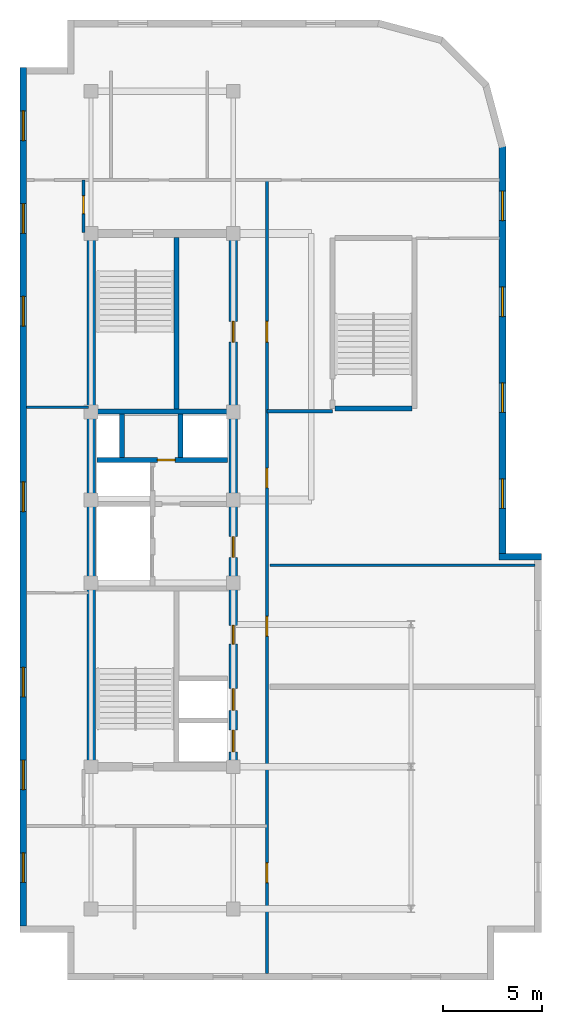
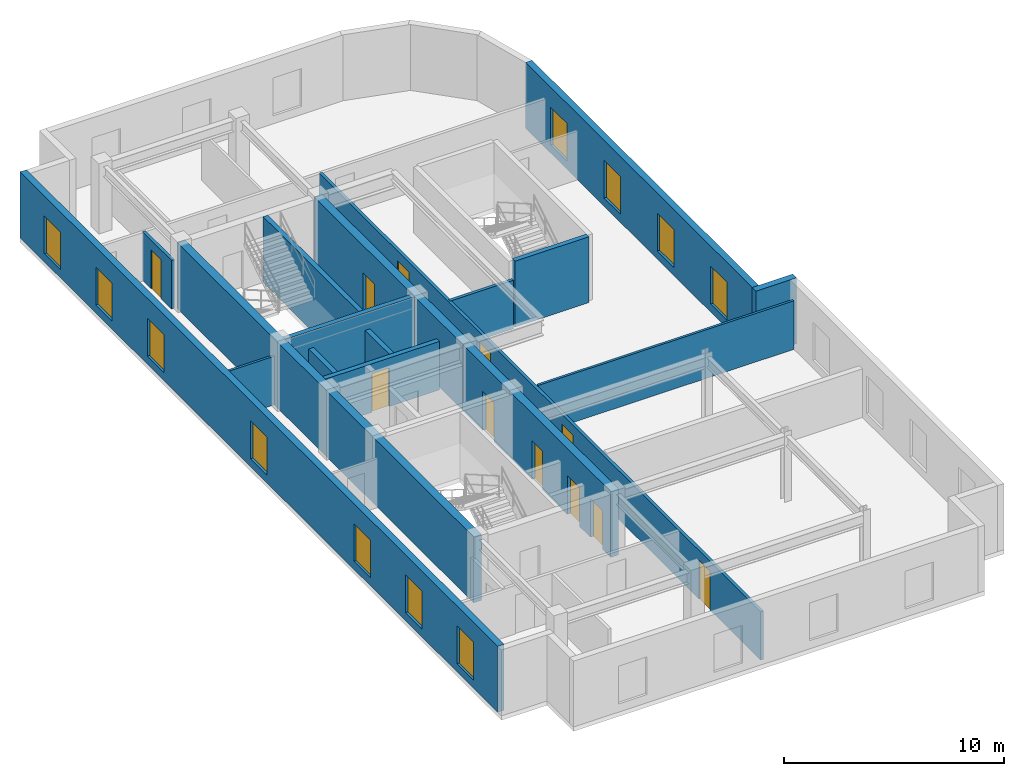
# One storey, part 3 of 5: 17 walls, 11 doors, 11 windows, 22 openings.
"""IFC4 building model written with IfcOpenShell, lengths in metres."""

from ifc_helpers import new_model, entity, si_unit, converted_unit, direction, frame, origin_with_axes, origin_2d_with_axis, place, context, subcontext, project, spatial, polyline, rectangle, outline, extrude, material, layer, layer_set, type_object, element, fill, save


model = new_model("IFC4")

# Units and contexts
model_context = context("Model", 3, precision=1e-05, world=origin_with_axes(), true_north=direction((0.0, 1.0)))
body_context = subcontext(model_context, "Body", "Model", "MODEL_VIEW")
ifc_project = project(units=[si_unit("LENGTHUNIT", "METRE"), si_unit("AREAUNIT", "SQUARE_METRE"), si_unit("VOLUMEUNIT", "CUBIC_METRE"), converted_unit("PLANEANGLEUNIT", "DEGREE", entity("IfcPlaneAngleMeasure", 0.017453292519943295), si_unit("PLANEANGLEUNIT", "RADIAN"), dimensions=[0, 0, 0, 0, 0, 0, 0]), si_unit("MASSUNIT", "GRAM", prefix="KILO"), si_unit("THERMODYNAMICTEMPERATUREUNIT", "KELVIN")], contexts=[model_context])

# Site, building, storey
site_placement = place(None, origin_with_axes())
site = spatial("IfcSite", under=ifc_project, at=site_placement, CompositionType="ELEMENT")
building_placement = place(site_placement, origin_with_axes())
building = spatial("IfcBuilding", under=site, at=building_placement, Name="Varnlund Millrace Tower", CompositionType="ELEMENT")
storey_placement = place(building_placement, frame((0.0, 0.0, 291.9), z_axis=(0.0, 0.0, 1.0), x_axis=(1.0, 0.0, 0.0)))
storey = spatial("IfcBuildingStorey", under=building, at=storey_placement, Name="L72", CompositionType="ELEMENT", Elevation=291.9)

# Wall
ifc_material_1 = material(Name="Concrete C60/75", Category="concrete")
ifc_layer_1 = layer(ifc_material_1, 0.42, Name="Concrete C60/75")
ifc_layer_set_1 = layer_set([ifc_layer_1], Name="Concrete C60/75")
wall_type_1 = type_object("IfcWallType", Name="Type-CoreWall-Shear-420-C60", PredefinedType="SHEAR", material=ifc_layer_set_1)
wall_1_placement = place(storey_placement, frame((11.4, 10.8, 0.0), z_axis=(0.0, 0.0, 1.0), x_axis=(0.0, 1.0, 0.0)))
element("IfcWall", 1, at=wall_1_placement, inside=storey, type_object=wall_type_1, Name="Type-CoreWall-Shear-420-C60", PredefinedType="SHEAR", context=body_context, shape_type="SweptSolid", body=[
    extrude(outline(polyline([(0.0, -0.21), (27.0, -0.21), (27.0, 0.21), (0.0, 0.21), (0.0, -0.21)])), origin_with_axes(), (0.0, 0.0, 1.0), 3.66),
])

# Wall, openings, doors
wall_2_placement = place(storey_placement, frame((18.6, 10.8, 0.0), z_axis=(0.0, 0.0, 1.0), x_axis=(0.0, 1.0, 0.0)))
wall_2 = element("IfcWall", 2, at=wall_2_placement, inside=storey, type_object=wall_type_1, Name="Type-CoreWall-Shear-420-C60", PredefinedType="SHEAR", context=body_context, shape_type="SweptSolid", body=[
    extrude(outline(polyline([(0.0, -0.21), (13.5, -0.21), (13.5, 0.21), (0.0, 0.21), (0.0, -0.21)])), origin_with_axes(), (0.0, 0.0, 1.0), 3.66),
])
opening_1_placement = place(wall_2_placement, frame((1.3, 0.0, 0.0), z_axis=(0.0, 0.0, 1.0), x_axis=(1.0, 0.0, 0.0)))
opening_1 = element("IfcOpeningElement", 3, at=opening_1_placement, cuts=wall_2, Name="Opening L72:LD-ELV-H1", PredefinedType="OPENING", context=body_context, shape_type="SweptSolid", body=[
    extrude(rectangle(XDim=1.1, YDim=0.44, at=origin_2d_with_axis()), origin_with_axes(), (0.0, 0.0, 1.0), 2.15),
])
opening_2_placement = place(wall_2_placement, frame((3.4, 0.0, 0.0), z_axis=(0.0, 0.0, 1.0), x_axis=(1.0, 0.0, 0.0)))
opening_2 = element("IfcOpeningElement", 4, at=opening_2_placement, cuts=wall_2, Name="Opening L72:LD-ELV-H2", PredefinedType="OPENING", context=body_context, shape_type="SweptSolid", body=[
    extrude(rectangle(XDim=1.1, YDim=0.44, at=origin_2d_with_axis()), origin_with_axes(), (0.0, 0.0, 1.0), 2.15),
])
opening_3_placement = place(wall_2_placement, frame((11.125, 0.0, 0.0), z_axis=(0.0, 0.0, 1.0), x_axis=(1.0, 0.0, 0.0)))
opening_3 = element("IfcOpeningElement", 5, at=opening_3_placement, cuts=wall_2, Name="Opening L72:DR-FFLOB-A", PredefinedType="OPENING", context=body_context, shape_type="SweptSolid", body=[
    extrude(rectangle(XDim=1.05, YDim=0.44, at=origin_2d_with_axis()), origin_with_axes(), (0.0, 0.0, 1.0), 2.15),
])
opening_4_placement = place(wall_2_placement, frame((6.675, 0.0, 0.0), z_axis=(0.0, 0.0, 1.0), x_axis=(1.0, 0.0, 0.0)))
opening_4 = element("IfcOpeningElement", 6, at=opening_4_placement, cuts=wall_2, Name="Opening L72:DR-RECL-S1AB", PredefinedType="OPENING", context=body_context, shape_type="SweptSolid", body=[
    extrude(rectangle(XDim=0.95, YDim=0.44, at=origin_2d_with_axis()), origin_with_axes(), (0.0, 0.0, 1.0), 2.15),
])
ifc_material_2 = material(Name="Smoke-barrier hollow steel fire door", Category="steel")
door_type_1 = type_object("IfcDoorType", Name="Type-FireDoor-Lobby-1050X2150", OperationType="NOTDEFINED", PredefinedType="DOOR", material=ifc_material_2)
door_1_placement = place(wall_2_placement, frame((11.125, 0.0, 0.0), z_axis=(0.0, 0.0, 1.0), x_axis=(1.0, 0.0, 0.0)))
door_1 = element("IfcDoor", 7, at=door_1_placement, inside=storey, type_object=door_type_1, Name="Type-FireDoor-Lobby-1050X2150", OperationType="SINGLE_SWING_LEFT", OverallHeight=2.15, OverallWidth=1.05, PredefinedType="DOOR", context=body_context, shape_type="SweptSolid", body=[
    extrude(rectangle(XDim=1.05, YDim=0.09, at=origin_2d_with_axis()), origin_with_axes(), (0.0, 0.0, 1.0), 2.15),
])
fill(opening_3, door_1)
ifc_material_3 = material(Name="Fire-rated hollow steel core service door", Category="steel")
door_type_2 = type_object("IfcDoorType", Name="Type-FireDoor-Service-950X2150", OperationType="NOTDEFINED", PredefinedType="DOOR", material=ifc_material_3)
door_2_placement = place(wall_2_placement, frame((6.675, 0.0, 0.0), z_axis=(0.0, 0.0, 1.0), x_axis=(1.0, 0.0, 0.0)))
door_2 = element("IfcDoor", 8, at=door_2_placement, inside=storey, type_object=door_type_2, Name="Type-FireDoor-Service-950X2150", OperationType="SINGLE_SWING_LEFT", OverallHeight=2.15, OverallWidth=0.95, PredefinedType="DOOR", context=body_context, shape_type="SweptSolid", body=[
    extrude(rectangle(XDim=0.95, YDim=0.09, at=origin_2d_with_axis()), origin_with_axes(), (0.0, 0.0, 1.0), 2.15),
])
fill(opening_4, door_2)
ifc_material_4 = material(Name="Stainless and architectural bronze sliding landing door")
door_type_3 = type_object("IfcDoorType", Name="Type-LiftLandingDoor-1100X2150", OperationType="NOTDEFINED", PredefinedType="DOOR", material=ifc_material_4)
door_3_placement = place(wall_2_placement, frame((1.3, 0.0, 0.0), z_axis=(0.0, 0.0, 1.0), x_axis=(1.0, 0.0, 0.0)))
door_3 = element("IfcDoor", 9, at=door_3_placement, inside=storey, type_object=door_type_3, Name="Type-LiftLandingDoor-1100X2150", OperationType="SLIDING_TO_LEFT", OverallHeight=2.15, OverallWidth=1.1, PredefinedType="DOOR", context=body_context, shape_type="SweptSolid", body=[
    extrude(rectangle(XDim=1.1, YDim=0.09, at=origin_2d_with_axis()), origin_with_axes(), (0.0, 0.0, 1.0), 2.15),
])
fill(opening_1, door_3)
door_4_placement = place(wall_2_placement, frame((3.4, 0.0, 0.0), z_axis=(0.0, 0.0, 1.0), x_axis=(1.0, 0.0, 0.0)))
door_4 = element("IfcDoor", 10, at=door_4_placement, inside=storey, type_object=door_type_3, Name="Type-LiftLandingDoor-1100X2150", OperationType="SLIDING_TO_RIGHT", OverallHeight=2.15, OverallWidth=1.1, PredefinedType="DOOR", context=body_context, shape_type="SweptSolid", body=[
    extrude(rectangle(XDim=1.1, YDim=0.09, at=origin_2d_with_axis()), origin_with_axes(), (0.0, 0.0, 1.0), 2.15),
])
fill(opening_2, door_4)

# Wall, opening, door
wall_3_placement = place(storey_placement, frame((18.6, 24.3, 0.0), z_axis=(0.0, 0.0, 1.0), x_axis=(0.0, 1.0, 0.0)))
wall_3 = element("IfcWall", 11, at=wall_3_placement, inside=storey, type_object=wall_type_1, Name="Type-CoreWall-Shear-420-C60", PredefinedType="SHEAR", context=body_context, shape_type="SweptSolid", body=[
    extrude(outline(polyline([(0.0, -0.21), (13.5, -0.21), (13.5, 0.21), (0.0, 0.21), (0.0, -0.21)])), origin_with_axes(), (0.0, 0.0, 1.0), 3.66),
])
opening_5_placement = place(wall_3_placement, frame((8.525, 0.0, 0.0), z_axis=(0.0, 0.0, 1.0), x_axis=(1.0, 0.0, 0.0)))
opening_5 = element("IfcOpeningElement", 12, at=opening_5_placement, cuts=wall_3, Name="Opening L72:DR-RECL-M", PredefinedType="OPENING", context=body_context, shape_type="SweptSolid", body=[
    extrude(rectangle(XDim=1.05, YDim=0.44, at=origin_2d_with_axis()), origin_with_axes(), (0.0, 0.0, 1.0), 2.15),
])
door_5_placement = place(wall_3_placement, frame((8.525, 0.0, 0.0), z_axis=(0.0, 0.0, 1.0), x_axis=(1.0, 0.0, 0.0)))
door_5 = element("IfcDoor", 13, at=door_5_placement, inside=storey, type_object=door_type_1, Name="Type-FireDoor-Lobby-1050X2150", OperationType="SINGLE_SWING_LEFT", OverallHeight=2.15, OverallWidth=1.05, PredefinedType="DOOR", context=body_context, shape_type="SweptSolid", body=[
    extrude(rectangle(XDim=1.05, YDim=0.09, at=origin_2d_with_axis()), origin_with_axes(), (0.0, 0.0, 1.0), 2.15),
])
fill(opening_5, door_5)

# Wall, openings, windows
ifc_material_5 = material(Name="Precast concrete C50/60", Category="concrete")
ifc_layer_2 = layer(ifc_material_5, 0.34, Name="Precast concrete C50/60")
ifc_layer_set_2 = layer_set([ifc_layer_2], Name="Precast concrete C50/60")
wall_type_2 = type_object("IfcWallType", Name="Type-ExtWall-Precast-Upper-340", PredefinedType="SOLIDWALL", material=ifc_layer_set_2)
wall_4_placement = place(storey_placement, frame((7.97, 2.74, 0.0), z_axis=(0.0, 0.0, 1.0), x_axis=(0.0, 1.0, 0.0)))
wall_4 = element("IfcWall", 14, at=wall_4_placement, inside=storey, type_object=wall_type_2, Name="Type-ExtWall-Precast-Upper-340", PredefinedType="SOLIDWALL", context=body_context, shape_type="SweptSolid", body=[
    extrude(outline(polyline([(0.0, -0.17), (43.46, -0.17), (43.46, 0.17), (0.0, 0.17), (0.0, -0.17)])), origin_with_axes(), (0.0, 0.0, 1.0), 3.66),
])
opening_6_placement = place(wall_4_placement, frame((2.948, 0.0, 0.45), z_axis=(0.0, 0.0, 1.0), x_axis=(1.0, 0.0, 0.0)))
opening_6 = element("IfcOpeningElement", 15, at=opening_6_placement, cuts=wall_4, Name="Opening L72:WN-05", PredefinedType="OPENING", context=body_context, shape_type="SweptSolid", body=[
    extrude(rectangle(XDim=1.5, YDim=0.36, at=origin_2d_with_axis()), origin_with_axes(), (0.0, 0.0, 1.0), 2.1),
])
opening_7_placement = place(wall_4_placement, frame((7.643, 0.0, 0.45), z_axis=(0.0, 0.0, 1.0), x_axis=(1.0, 0.0, 0.0)))
opening_7 = element("IfcOpeningElement", 16, at=opening_7_placement, cuts=wall_4, Name="Opening L72:WN-06", PredefinedType="OPENING", context=body_context, shape_type="SweptSolid", body=[
    extrude(rectangle(XDim=1.5, YDim=0.36, at=origin_2d_with_axis()), origin_with_axes(), (0.0, 0.0, 1.0), 2.1),
])
opening_8_placement = place(wall_4_placement, frame((12.339, 0.0, 0.45), z_axis=(0.0, 0.0, 1.0), x_axis=(1.0, 0.0, 0.0)))
opening_8 = element("IfcOpeningElement", 17, at=opening_8_placement, cuts=wall_4, Name="Opening L72:WN-07", PredefinedType="OPENING", context=body_context, shape_type="SweptSolid", body=[
    extrude(rectangle(XDim=1.5, YDim=0.36, at=origin_2d_with_axis()), origin_with_axes(), (0.0, 0.0, 1.0), 2.1),
])
opening_9_placement = place(wall_4_placement, frame((21.73, 0.0, 0.45), z_axis=(0.0, 0.0, 1.0), x_axis=(1.0, 0.0, 0.0)))
opening_9 = element("IfcOpeningElement", 18, at=opening_9_placement, cuts=wall_4, Name="Opening L72:WN-08", PredefinedType="OPENING", context=body_context, shape_type="SweptSolid", body=[
    extrude(rectangle(XDim=1.5, YDim=0.36, at=origin_2d_with_axis()), origin_with_axes(), (0.0, 0.0, 1.0), 2.1),
])
opening_10_placement = place(wall_4_placement, frame((31.121, 0.0, 0.45), z_axis=(0.0, 0.0, 1.0), x_axis=(1.0, 0.0, 0.0)))
opening_10 = element("IfcOpeningElement", 19, at=opening_10_placement, cuts=wall_4, Name="Opening L72:WN-09", PredefinedType="OPENING", context=body_context, shape_type="SweptSolid", body=[
    extrude(rectangle(XDim=1.5, YDim=0.36, at=origin_2d_with_axis()), origin_with_axes(), (0.0, 0.0, 1.0), 2.1),
])
opening_11_placement = place(wall_4_placement, frame((35.817, 0.0, 0.45), z_axis=(0.0, 0.0, 1.0), x_axis=(1.0, 0.0, 0.0)))
opening_11 = element("IfcOpeningElement", 20, at=opening_11_placement, cuts=wall_4, Name="Opening L72:WN-10", PredefinedType="OPENING", context=body_context, shape_type="SweptSolid", body=[
    extrude(rectangle(XDim=1.5, YDim=0.36, at=origin_2d_with_axis()), origin_with_axes(), (0.0, 0.0, 1.0), 2.1),
])
opening_12_placement = place(wall_4_placement, frame((40.512, 0.0, 0.45), z_axis=(0.0, 0.0, 1.0), x_axis=(1.0, 0.0, 0.0)))
opening_12 = element("IfcOpeningElement", 21, at=opening_12_placement, cuts=wall_4, Name="Opening L72:WN-11", PredefinedType="OPENING", context=body_context, shape_type="SweptSolid", body=[
    extrude(rectangle(XDim=1.5, YDim=0.36, at=origin_2d_with_axis()), origin_with_axes(), (0.0, 0.0, 1.0), 2.1),
])
ifc_material_6 = material(Name="Argon low-e triple glazing in thermally broken bronze frame", Category="glass")
window_type = type_object("IfcWindowType", Name="Type-Window-Punched-1500X2100", PartitioningType="SINGLE_PANEL", PredefinedType="WINDOW", material=ifc_material_6)
window_1_placement = place(wall_4_placement, frame((2.948, 0.0, 0.45), z_axis=(0.0, 0.0, 1.0), x_axis=(1.0, 0.0, 0.0)))
window_1 = element("IfcWindow", 22, at=window_1_placement, inside=storey, type_object=window_type, Name="Type-Window-Punched-1500X2100", OverallHeight=2.1, OverallWidth=1.5, PredefinedType="WINDOW", context=body_context, shape_type="SweptSolid", body=[
    extrude(rectangle(XDim=1.5, YDim=0.09, at=origin_2d_with_axis()), origin_with_axes(), (0.0, 0.0, 1.0), 2.1),
])
fill(opening_6, window_1)
window_2_placement = place(wall_4_placement, frame((7.643, 0.0, 0.45), z_axis=(0.0, 0.0, 1.0), x_axis=(1.0, 0.0, 0.0)))
window_2 = element("IfcWindow", 23, at=window_2_placement, inside=storey, type_object=window_type, Name="Type-Window-Punched-1500X2100", OverallHeight=2.1, OverallWidth=1.5, PredefinedType="WINDOW", context=body_context, shape_type="SweptSolid", body=[
    extrude(rectangle(XDim=1.5, YDim=0.09, at=origin_2d_with_axis()), origin_with_axes(), (0.0, 0.0, 1.0), 2.1),
])
fill(opening_7, window_2)
window_3_placement = place(wall_4_placement, frame((12.339, 0.0, 0.45), z_axis=(0.0, 0.0, 1.0), x_axis=(1.0, 0.0, 0.0)))
window_3 = element("IfcWindow", 24, at=window_3_placement, inside=storey, type_object=window_type, Name="Type-Window-Punched-1500X2100", OverallHeight=2.1, OverallWidth=1.5, PredefinedType="WINDOW", context=body_context, shape_type="SweptSolid", body=[
    extrude(rectangle(XDim=1.5, YDim=0.09, at=origin_2d_with_axis()), origin_with_axes(), (0.0, 0.0, 1.0), 2.1),
])
fill(opening_8, window_3)
window_4_placement = place(wall_4_placement, frame((21.73, 0.0, 0.45), z_axis=(0.0, 0.0, 1.0), x_axis=(1.0, 0.0, 0.0)))
window_4 = element("IfcWindow", 25, at=window_4_placement, inside=storey, type_object=window_type, Name="Type-Window-Punched-1500X2100", OverallHeight=2.1, OverallWidth=1.5, PredefinedType="WINDOW", context=body_context, shape_type="SweptSolid", body=[
    extrude(rectangle(XDim=1.5, YDim=0.09, at=origin_2d_with_axis()), origin_with_axes(), (0.0, 0.0, 1.0), 2.1),
])
fill(opening_9, window_4)
window_5_placement = place(wall_4_placement, frame((31.121, 0.0, 0.45), z_axis=(0.0, 0.0, 1.0), x_axis=(1.0, 0.0, 0.0)))
window_5 = element("IfcWindow", 26, at=window_5_placement, inside=storey, type_object=window_type, Name="Type-Window-Punched-1500X2100", OverallHeight=2.1, OverallWidth=1.5, PredefinedType="WINDOW", context=body_context, shape_type="SweptSolid", body=[
    extrude(rectangle(XDim=1.5, YDim=0.09, at=origin_2d_with_axis()), origin_with_axes(), (0.0, 0.0, 1.0), 2.1),
])
fill(opening_10, window_5)
window_6_placement = place(wall_4_placement, frame((35.817, 0.0, 0.45), z_axis=(0.0, 0.0, 1.0), x_axis=(1.0, 0.0, 0.0)))
window_6 = element("IfcWindow", 27, at=window_6_placement, inside=storey, type_object=window_type, Name="Type-Window-Punched-1500X2100", OverallHeight=2.1, OverallWidth=1.5, PredefinedType="WINDOW", context=body_context, shape_type="SweptSolid", body=[
    extrude(rectangle(XDim=1.5, YDim=0.09, at=origin_2d_with_axis()), origin_with_axes(), (0.0, 0.0, 1.0), 2.1),
])
fill(opening_11, window_6)
window_7_placement = place(wall_4_placement, frame((40.512, 0.0, 0.45), z_axis=(0.0, 0.0, 1.0), x_axis=(1.0, 0.0, 0.0)))
window_7 = element("IfcWindow", 28, at=window_7_placement, inside=storey, type_object=window_type, Name="Type-Window-Punched-1500X2100", OverallHeight=2.1, OverallWidth=1.5, PredefinedType="WINDOW", context=body_context, shape_type="SweptSolid", body=[
    extrude(rectangle(XDim=1.5, YDim=0.09, at=origin_2d_with_axis()), origin_with_axes(), (0.0, 0.0, 1.0), 2.1),
])
fill(opening_12, window_7)

wall_5_placement = place(storey_placement, frame((32.23, 42.22, 0.0), z_axis=(0.0, 0.0, 1.0), x_axis=(0.0, -1.0, 0.0)))
wall_5 = element("IfcWall", 29, at=wall_5_placement, inside=storey, type_object=wall_type_2, Name="Type-ExtWall-Precast-Upper-340", PredefinedType="SOLIDWALL", context=body_context, shape_type="SweptSolid", body=[
    extrude(outline(polyline([(0.0, -0.17), (20.62, -0.17), (20.62, 0.17), (0.0, 0.17), (0.0, -0.17)])), origin_with_axes(), (0.0, 0.0, 1.0), 3.66),
])
opening_13_placement = place(wall_5_placement, frame((3.027, 0.0, 0.45), z_axis=(0.0, 0.0, 1.0), x_axis=(1.0, 0.0, 0.0)))
opening_13 = element("IfcOpeningElement", 30, at=opening_13_placement, cuts=wall_5, Name="Opening L72:WN-15", PredefinedType="OPENING", context=body_context, shape_type="SweptSolid", body=[
    extrude(rectangle(XDim=1.5, YDim=0.36, at=origin_2d_with_axis()), origin_with_axes(), (0.0, 0.0, 1.0), 2.1),
])
opening_14_placement = place(wall_5_placement, frame((7.882, 0.0, 0.45), z_axis=(0.0, 0.0, 1.0), x_axis=(1.0, 0.0, 0.0)))
opening_14 = element("IfcOpeningElement", 31, at=opening_14_placement, cuts=wall_5, Name="Opening L72:WN-16", PredefinedType="OPENING", context=body_context, shape_type="SweptSolid", body=[
    extrude(rectangle(XDim=1.5, YDim=0.36, at=origin_2d_with_axis()), origin_with_axes(), (0.0, 0.0, 1.0), 2.1),
])
opening_15_placement = place(wall_5_placement, frame((12.737, 0.0, 0.45), z_axis=(0.0, 0.0, 1.0), x_axis=(1.0, 0.0, 0.0)))
opening_15 = element("IfcOpeningElement", 32, at=opening_15_placement, cuts=wall_5, Name="Opening L72:WN-17", PredefinedType="OPENING", context=body_context, shape_type="SweptSolid", body=[
    extrude(rectangle(XDim=1.5, YDim=0.36, at=origin_2d_with_axis()), origin_with_axes(), (0.0, 0.0, 1.0), 2.1),
])
opening_16_placement = place(wall_5_placement, frame((17.593, 0.0, 0.45), z_axis=(0.0, 0.0, 1.0), x_axis=(1.0, 0.0, 0.0)))
opening_16 = element("IfcOpeningElement", 33, at=opening_16_placement, cuts=wall_5, Name="Opening L72:WN-18", PredefinedType="OPENING", context=body_context, shape_type="SweptSolid", body=[
    extrude(rectangle(XDim=1.5, YDim=0.36, at=origin_2d_with_axis()), origin_with_axes(), (0.0, 0.0, 1.0), 2.1),
])
window_8_placement = place(wall_5_placement, frame((3.027, 0.0, 0.45), z_axis=(0.0, 0.0, 1.0), x_axis=(1.0, 0.0, 0.0)))
window_8 = element("IfcWindow", 34, at=window_8_placement, inside=storey, type_object=window_type, Name="Type-Window-Punched-1500X2100", OverallHeight=2.1, OverallWidth=1.5, PredefinedType="WINDOW", context=body_context, shape_type="SweptSolid", body=[
    extrude(rectangle(XDim=1.5, YDim=0.09, at=origin_2d_with_axis()), origin_with_axes(), (0.0, 0.0, 1.0), 2.1),
])
fill(opening_13, window_8)
window_9_placement = place(wall_5_placement, frame((7.882, 0.0, 0.45), z_axis=(0.0, 0.0, 1.0), x_axis=(1.0, 0.0, 0.0)))
window_9 = element("IfcWindow", 35, at=window_9_placement, inside=storey, type_object=window_type, Name="Type-Window-Punched-1500X2100", OverallHeight=2.1, OverallWidth=1.5, PredefinedType="WINDOW", context=body_context, shape_type="SweptSolid", body=[
    extrude(rectangle(XDim=1.5, YDim=0.09, at=origin_2d_with_axis()), origin_with_axes(), (0.0, 0.0, 1.0), 2.1),
])
fill(opening_14, window_9)
window_10_placement = place(wall_5_placement, frame((12.737, 0.0, 0.45), z_axis=(0.0, 0.0, 1.0), x_axis=(1.0, 0.0, 0.0)))
window_10 = element("IfcWindow", 36, at=window_10_placement, inside=storey, type_object=window_type, Name="Type-Window-Punched-1500X2100", OverallHeight=2.1, OverallWidth=1.5, PredefinedType="WINDOW", context=body_context, shape_type="SweptSolid", body=[
    extrude(rectangle(XDim=1.5, YDim=0.09, at=origin_2d_with_axis()), origin_with_axes(), (0.0, 0.0, 1.0), 2.1),
])
fill(opening_15, window_10)
window_11_placement = place(wall_5_placement, frame((17.593, 0.0, 0.45), z_axis=(0.0, 0.0, 1.0), x_axis=(1.0, 0.0, 0.0)))
window_11 = element("IfcWindow", 37, at=window_11_placement, inside=storey, type_object=window_type, Name="Type-Window-Punched-1500X2100", OverallHeight=2.1, OverallWidth=1.5, PredefinedType="WINDOW", context=body_context, shape_type="SweptSolid", body=[
    extrude(rectangle(XDim=1.5, YDim=0.09, at=origin_2d_with_axis()), origin_with_axes(), (0.0, 0.0, 1.0), 2.1),
])
fill(opening_16, window_11)

# Wall
wall_6_placement = place(storey_placement, frame((32.06, 21.43, 0.0), z_axis=(0.0, 0.0, 1.0), x_axis=(1.0, 0.0, 0.0)))
element("IfcWall", 38, at=wall_6_placement, inside=storey, type_object=wall_type_2, Name="Type-ExtWall-Precast-Upper-340", PredefinedType="SOLIDWALL", context=body_context, shape_type="SweptSolid", body=[
    extrude(outline(polyline([(0.0, -0.17), (2.14, -0.17), (2.14, 0.17), (0.0, 0.17), (0.0, -0.17)])), origin_with_axes(), (0.0, 0.0, 1.0), 3.66),
])

# Wall, openings, doors
ifc_material_7 = material(Name="Fire-rated gypsum board on cold-formed steel framing", Category="steel")
ifc_layer_3 = layer(ifc_material_7, 0.16, Name="Fire-rated gypsum board on cold-formed steel framing")
ifc_layer_set_3 = layer_set([ifc_layer_3], Name="Fire-rated gypsum board on cold-formed steel framing")
wall_type_3 = type_object("IfcWallType", Name="Type-Partition-Corridor-160", PredefinedType="PARTITIONING", material=ifc_layer_set_3)
wall_7_placement = place(storey_placement, frame((20.3, 0.335, 0.0), z_axis=(0.0, 0.0, 1.0), x_axis=(0.0, 1.0, 0.0)))
wall_7 = element("IfcWall", 39, at=wall_7_placement, inside=storey, type_object=wall_type_3, Name="Type-Partition-Corridor-160", PredefinedType="PARTITIONING", context=body_context, shape_type="SweptSolid", body=[
    extrude(outline(polyline([(0.0, -0.08), (40.165, -0.08), (40.165, 0.08), (0.0, 0.08), (0.0, -0.08)])), origin_with_axes(), (0.0, 0.0, 1.0), 2.7),
])
opening_17_placement = place(wall_7_placement, frame((32.49, 0.0, 0.0), z_axis=(0.0, 0.0, 1.0), x_axis=(1.0, 0.0, 0.0)))
opening_17 = element("IfcOpeningElement", 40, at=opening_17_placement, cuts=wall_7, Name="Opening L72:DR-STA3-COR", PredefinedType="OPENING", context=body_context, shape_type="SweptSolid", body=[
    extrude(rectangle(XDim=1.05, YDim=0.18, at=origin_2d_with_axis()), origin_with_axes(), (0.0, 0.0, 1.0), 2.15),
])
opening_18_placement = place(wall_7_placement, frame((5.089, 0.0, 0.0), z_axis=(0.0, 0.0, 1.0), x_axis=(1.0, 0.0, 0.0)))
opening_18 = element("IfcOpeningElement", 41, at=opening_18_placement, cuts=wall_7, Name="Opening L72:DR-SUM-01", PredefinedType="OPENING", context=body_context, shape_type="SweptSolid", body=[
    extrude(rectangle(XDim=1.0, YDim=0.18, at=origin_2d_with_axis()), origin_with_axes(), (0.0, 0.0, 1.0), 2.15),
])
opening_19_placement = place(wall_7_placement, frame((17.578, 0.0, 0.0), z_axis=(0.0, 0.0, 1.0), x_axis=(1.0, 0.0, 0.0)))
opening_19 = element("IfcOpeningElement", 42, at=opening_19_placement, cuts=wall_7, Name="Opening L72:DR-SUM-02", PredefinedType="OPENING", context=body_context, shape_type="SweptSolid", body=[
    extrude(rectangle(XDim=1.0, YDim=0.18, at=origin_2d_with_axis()), origin_with_axes(), (0.0, 0.0, 1.0), 2.15),
])
opening_20_placement = place(wall_7_placement, frame((25.079, 0.0, 0.0), z_axis=(0.0, 0.0, 1.0), x_axis=(1.0, 0.0, 0.0)))
opening_20 = element("IfcOpeningElement", 43, at=opening_20_placement, cuts=wall_7, Name="Opening L72:DR-SUM-03", PredefinedType="OPENING", context=body_context, shape_type="SweptSolid", body=[
    extrude(rectangle(XDim=1.0, YDim=0.18, at=origin_2d_with_axis()), origin_with_axes(), (0.0, 0.0, 1.0), 2.15),
])
door_6_placement = place(wall_7_placement, frame((32.49, 0.0, 0.0), z_axis=(0.0, 0.0, 1.0), x_axis=(1.0, 0.0, 0.0)))
door_6 = element("IfcDoor", 44, at=door_6_placement, inside=storey, type_object=door_type_1, Name="Type-FireDoor-Lobby-1050X2150", OperationType="SINGLE_SWING_LEFT", OverallHeight=2.15, OverallWidth=1.05, PredefinedType="DOOR", context=body_context, shape_type="SweptSolid", body=[
    extrude(rectangle(XDim=1.05, YDim=0.09, at=origin_2d_with_axis()), origin_with_axes(), (0.0, 0.0, 1.0), 2.15),
])
fill(opening_17, door_6)
ifc_material_8 = material(Name="Solid-core white oak and bronze frame door")
door_type_4 = type_object("IfcDoorType", Name="Type-IntDoor-Office-1000X2150", OperationType="NOTDEFINED", PredefinedType="DOOR", material=ifc_material_8)
door_7_placement = place(wall_7_placement, frame((5.089, 0.0, 0.0), z_axis=(0.0, 0.0, 1.0), x_axis=(1.0, 0.0, 0.0)))
door_7 = element("IfcDoor", 45, at=door_7_placement, inside=storey, type_object=door_type_4, Name="Type-IntDoor-Office-1000X2150", OperationType="SINGLE_SWING_LEFT", OverallHeight=2.15, OverallWidth=1.0, PredefinedType="DOOR", context=body_context, shape_type="SweptSolid", body=[
    extrude(rectangle(XDim=1.0, YDim=0.09, at=origin_2d_with_axis()), origin_with_axes(), (0.0, 0.0, 1.0), 2.15),
])
fill(opening_18, door_7)
door_8_placement = place(wall_7_placement, frame((17.578, 0.0, 0.0), z_axis=(0.0, 0.0, 1.0), x_axis=(1.0, 0.0, 0.0)))
door_8 = element("IfcDoor", 46, at=door_8_placement, inside=storey, type_object=door_type_4, Name="Type-IntDoor-Office-1000X2150", OperationType="SINGLE_SWING_RIGHT", OverallHeight=2.15, OverallWidth=1.0, PredefinedType="DOOR", context=body_context, shape_type="SweptSolid", body=[
    extrude(rectangle(XDim=1.0, YDim=0.09, at=origin_2d_with_axis()), origin_with_axes(), (0.0, 0.0, 1.0), 2.15),
])
fill(opening_19, door_8)
door_9_placement = place(wall_7_placement, frame((25.079, 0.0, 0.0), z_axis=(0.0, 0.0, 1.0), x_axis=(1.0, 0.0, 0.0)))
door_9 = element("IfcDoor", 47, at=door_9_placement, inside=storey, type_object=door_type_4, Name="Type-IntDoor-Office-1000X2150", OperationType="SINGLE_SWING_LEFT", OverallHeight=2.15, OverallWidth=1.0, PredefinedType="DOOR", context=body_context, shape_type="SweptSolid", body=[
    extrude(rectangle(XDim=1.0, YDim=0.09, at=origin_2d_with_axis()), origin_with_axes(), (0.0, 0.0, 1.0), 2.15),
])
fill(opening_20, door_9)

# Wall
wall_8_placement = place(storey_placement, frame((20.3, 28.8, 0.0), z_axis=(0.0, 0.0, 1.0), x_axis=(1.0, 0.0, 0.0)))
element("IfcWall", 48, at=wall_8_placement, inside=storey, type_object=wall_type_3, Name="Type-Partition-Corridor-160", PredefinedType="PARTITIONING", context=body_context, shape_type="SweptSolid", body=[
    extrude(outline(polyline([(0.0, -0.08), (3.32, -0.08), (3.32, 0.08), (0.0, 0.08), (0.0, -0.08)])), origin_with_axes(), (0.0, 0.0, 1.0), 2.7),
])

# Wall, opening, door
wall_9_placement = place(storey_placement, frame((11.02, 37.85, 0.0), z_axis=(0.0, 0.0, 1.0), x_axis=(0.0, 1.0, 0.0)))
wall_9 = element("IfcWall", 49, at=wall_9_placement, inside=storey, type_object=wall_type_3, Name="Type-Partition-Corridor-160", PredefinedType="PARTITIONING", context=body_context, shape_type="SweptSolid", body=[
    extrude(outline(polyline([(0.0, -0.08), (2.65, -0.08), (2.65, 0.08), (0.0, 0.08), (0.0, -0.08)])), origin_with_axes(), (0.0, 0.0, 1.0), 2.7),
])
opening_21_placement = place(wall_9_placement, frame((1.4, 0.0, 0.0), z_axis=(0.0, 0.0, 1.0), x_axis=(1.0, 0.0, 0.0)))
opening_21 = element("IfcOpeningElement", 50, at=opening_21_placement, cuts=wall_9, Name="Opening L72:DR-WU-N1", PredefinedType="OPENING", context=body_context, shape_type="SweptSolid", body=[
    extrude(rectangle(XDim=0.9, YDim=0.18, at=origin_2d_with_axis()), origin_with_axes(), (0.0, 0.0, 1.0), 2.15),
])
ifc_material_9 = material(Name="Painted steel riser and closet door", Category="steel")
door_type_5 = type_object("IfcDoorType", Name="Type-IntDoor-Closet-900X2150", OperationType="NOTDEFINED", PredefinedType="DOOR", material=ifc_material_9)
door_10_placement = place(wall_9_placement, frame((1.4, 0.0, 0.0), z_axis=(0.0, 0.0, 1.0), x_axis=(1.0, 0.0, 0.0)))
door_10 = element("IfcDoor", 51, at=door_10_placement, inside=storey, type_object=door_type_5, Name="Type-IntDoor-Closet-900X2150", OperationType="SINGLE_SWING_RIGHT", OverallHeight=2.15, OverallWidth=0.9, PredefinedType="DOOR", context=body_context, shape_type="SweptSolid", body=[
    extrude(rectangle(XDim=0.9, YDim=0.09, at=origin_2d_with_axis()), origin_with_axes(), (0.0, 0.0, 1.0), 2.15),
])
fill(opening_21, door_10)

# Walls
ifc_material_10 = material(Name="Gypsum board tenant partition", Category="gypsum")
ifc_layer_4 = layer(ifc_material_10, 0.125, Name="Gypsum board tenant partition")
ifc_layer_set_4 = layer_set([ifc_layer_4], Name="Gypsum board tenant partition")
wall_type_4 = type_object("IfcWallType", Name="Type-Partition-Tenant-125", PredefinedType="PARTITIONING", material=ifc_layer_set_4)
wall_10_placement = place(storey_placement, frame((8.135, 29.0, 0.0), z_axis=(0.0, 0.0, 1.0), x_axis=(1.0, 0.0, 0.0)))
element("IfcWall", 52, at=wall_10_placement, inside=storey, type_object=wall_type_4, Name="Type-Partition-Tenant-125", PredefinedType="PARTITIONING", context=body_context, shape_type="SweptSolid", body=[
    extrude(outline(polyline([(0.0, -0.0625), (3.135, -0.0625), (3.135, 0.0625), (0.0, 0.0625), (0.0, -0.0625)])), origin_with_axes(), (0.0, 0.0, 1.0), 2.7),
])
wall_11_placement = place(storey_placement, frame((20.45, 20.988, 0.0), z_axis=(0.0, 0.0, 1.0), x_axis=(1.0, 0.0, 0.0)))
element("IfcWall", 53, at=wall_11_placement, inside=storey, type_object=wall_type_4, Name="Type-Partition-Tenant-125", PredefinedType="PARTITIONING", context=body_context, shape_type="SweptSolid", body=[
    extrude(outline(polyline([(0.0, -0.0625), (13.415, -0.0625), (13.415, 0.0625), (0.0, 0.0625), (0.0, -0.0625)])), origin_with_axes(), (0.0, 0.0, 1.0), 2.7),
])

# Wall, opening, door
ifc_layer_5 = layer(ifc_material_1, 0.25, Name="Concrete C60/75")
ifc_layer_set_5 = layer_set([ifc_layer_5], Name="Concrete C60/75")
wall_type_5 = type_object("IfcWallType", Name="Type-ShaftWall-Fire-250", PredefinedType="SOLIDWALL", material=ifc_layer_set_5)
wall_12_placement = place(storey_placement, frame((11.7, 26.325, 0.0), z_axis=(0.0, 0.0, 1.0), x_axis=(1.0, 0.0, 0.0)))
wall_12 = element("IfcWall", 54, at=wall_12_placement, inside=storey, type_object=wall_type_5, Name="Type-ShaftWall-Fire-250", PredefinedType="SOLIDWALL", context=body_context, shape_type="SweptSolid", body=[
    extrude(outline(polyline([(0.0, -0.125), (6.6, -0.125), (6.6, 0.125), (0.0, 0.125), (0.0, -0.125)])), origin_with_axes(), (0.0, 0.0, 1.0), 2.7),
])
opening_22_placement = place(wall_12_placement, frame((3.5, 0.0, 0.0), z_axis=(0.0, 0.0, 1.0), x_axis=(1.0, 0.0, 0.0)))
opening_22 = element("IfcOpeningElement", 55, at=opening_22_placement, cuts=wall_12, Name="Opening L72:DR-CA-ELC", PredefinedType="OPENING", context=body_context, shape_type="SweptSolid", body=[
    extrude(rectangle(XDim=0.9, YDim=0.27, at=origin_2d_with_axis()), origin_with_axes(), (0.0, 0.0, 1.0), 2.15),
])
ifc_material_11 = material(Name="Fire-rated hollow steel service closet door", Category="steel")
door_type_6 = type_object("IfcDoorType", Name="Type-FireDoor-Closet-900X2150", OperationType="NOTDEFINED", PredefinedType="DOOR", material=ifc_material_11)
door_11_placement = place(wall_12_placement, frame((3.5, 0.0, 0.0), z_axis=(0.0, 0.0, 1.0), x_axis=(1.0, 0.0, 0.0)))
door_11 = element("IfcDoor", 56, at=door_11_placement, inside=storey, type_object=door_type_6, Name="Type-FireDoor-Closet-900X2150", OperationType="SINGLE_SWING_LEFT", OverallHeight=2.15, OverallWidth=0.9, PredefinedType="DOOR", context=body_context, shape_type="SweptSolid", body=[
    extrude(rectangle(XDim=0.9, YDim=0.09, at=origin_2d_with_axis()), origin_with_axes(), (0.0, 0.0, 1.0), 2.15),
])
fill(opening_22, door_11)

# Walls
for number, where, z_axis, x_axis, name in (
    (57, (12.96, 26.45, 0.0), (0.0, 0.0, 1.0), (0.0, 1.0, 0.0), "Type-ShaftWall-Fire-250"),
    (58, (15.925, 26.45, 0.0), (0.0, 0.0, 1.0), (0.0, 1.0, 0.0), "Type-ShaftWall-Fire-250"),
):
    element("IfcWall", number, at=place(storey_placement, frame(where, z_axis=z_axis, x_axis=x_axis)), inside=storey, type_object=wall_type_5, Name=name, PredefinedType="SOLIDWALL", context=body_context, shape_type="SweptSolid", body=[
        extrude(outline(polyline([(0.0, -0.125), (2.2, -0.125), (2.2, 0.125), (0.0, 0.125), (0.0, -0.125)])), origin_with_axes(), (0.0, 0.0, 1.0), 2.7),
    ])
wall_type_6 = type_object("IfcWallType", Name="Type-StairWall-Shear-250", PredefinedType="SHEAR", material=ifc_layer_set_5)
wall_13_placement = place(storey_placement, frame((15.725, 28.9, 0.0), z_axis=(0.0, 0.0, 1.0), x_axis=(0.0, 1.0, 0.0)))
element("IfcWall", 59, at=wall_13_placement, inside=storey, type_object=wall_type_6, Name="Type-StairWall-Shear-250", PredefinedType="SHEAR", context=body_context, shape_type="SweptSolid", body=[
    extrude(outline(polyline([(0.0, -0.125), (8.69, -0.125), (8.69, 0.125), (0.0, 0.125), (0.0, -0.125)])), origin_with_axes(), (0.0, 0.0, 1.0), 3.66),
])
wall_14_placement = place(storey_placement, frame((11.61, 28.775, 0.0), z_axis=(0.0, 0.0, 1.0), x_axis=(1.0, 0.0, 0.0)))
element("IfcWall", 60, at=wall_14_placement, inside=storey, type_object=wall_type_6, Name="Type-StairWall-Shear-250", PredefinedType="SHEAR", context=body_context, shape_type="SweptSolid", body=[
    extrude(outline(polyline([(0.0, -0.125), (6.78, -0.125), (6.78, 0.125), (0.0, 0.125), (0.0, -0.125)])), origin_with_axes(), (0.0, 0.0, 1.0), 3.66),
])
wall_15_placement = place(storey_placement, frame((23.75, 28.925, 0.0), z_axis=(0.0, 0.0, 1.0), x_axis=(1.0, 0.0, 0.0)))
element("IfcWall", 61, at=wall_15_placement, inside=storey, type_object=wall_type_6, Name="Type-StairWall-Shear-250", PredefinedType="SHEAR", context=body_context, shape_type="SweptSolid", body=[
    extrude(outline(polyline([(0.0, -0.125), (3.9, -0.125), (3.9, 0.125), (0.0, 0.125), (0.0, -0.125)])), origin_with_axes(), (0.0, 0.0, 1.0), 3.66),
])

save(model, "model.ifc")
